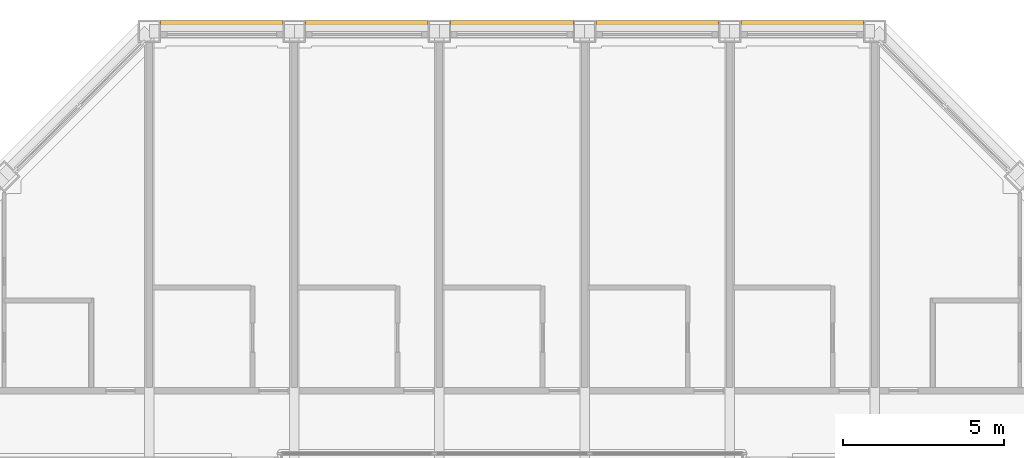
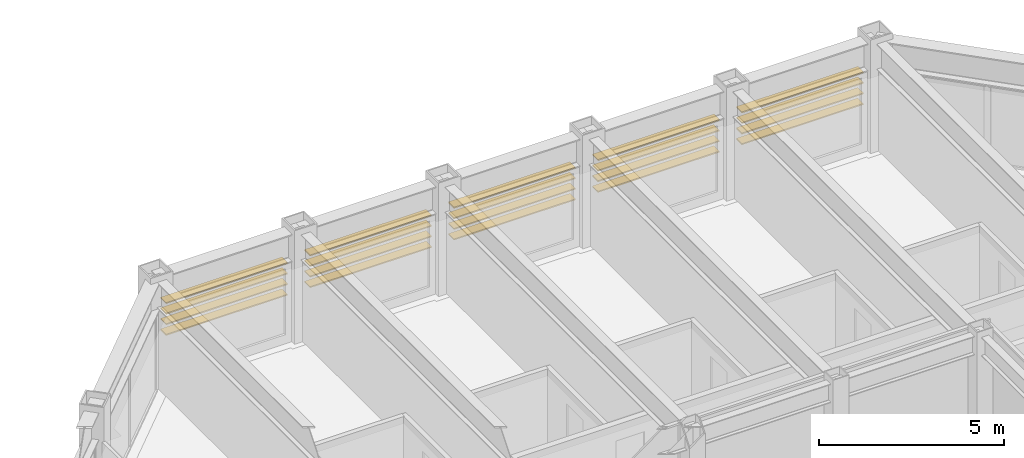
# One storey, part 18 of 18: 1 shading device.
"""IFC4 building model written with IfcOpenShell, lengths in metres."""

from ifc_helpers import new_model, si_unit, direction, frame, origin, origin_2d, place, context, subcontext, project, spatial, rectangle, extrude, material, type_object, element, save


model = new_model("IFC4")

# Units and contexts
model_context = context("Model", 3, precision=1e-05, world=origin(), true_north=direction((0.0, 1.0)))
body_context = subcontext(model_context, "Body", "Model", "MODEL_VIEW")
ifc_project = project(units=[si_unit("LENGTHUNIT", "METRE"), si_unit("AREAUNIT", "SQUARE_METRE"), si_unit("VOLUMEUNIT", "CUBIC_METRE"), si_unit("PLANEANGLEUNIT", "RADIAN"), si_unit("MASSUNIT", "GRAM", prefix="KILO")], contexts=[model_context])

# Site, building, storey
site_placement = place(None, origin())
site = spatial("IfcSite", under=ifc_project, at=site_placement, CompositionType="ELEMENT")
building_placement = place(site_placement, origin())
building = spatial("IfcBuilding", under=site, at=building_placement, Name="Msasa Ring Tower", CompositionType="ELEMENT")
storey_placement = place(building_placement, frame((0.0, 0.0, 204.550048828125)))
storey = spatial("IfcBuildingStorey", under=building, at=storey_placement, Name="L53", CompositionType="ELEMENT", Elevation=204.550048828125)

# Shading device
ifc_material = material(Name="Extruded terracotta blades", Category="masonry")
shading_device_type = type_object("IfcShadingDeviceType", Name="SS1 TERRACOTTA SUNSHADE 4 BLADES 300x40 AT 350", PredefinedType="USERDEFINED", material=ifc_material)
shading_device_placement = place(storey_placement, origin())
element("IfcShadingDevice", 1, at=shading_device_placement, inside=storey, type_object=shading_device_type, Name="Terracotta sunshade N L53", ObjectType="SUNSHADE", PredefinedType="USERDEFINED", context=body_context, shape_type="SweptSolid", body=[
    extrude(rectangle(XDim=0.0400390625, YDim=0.300048828125, at=origin_2d()), frame((-10.89990234375, 20.429931640625, 2.458984375), z_axis=(1.0, 0.0, 0.0), x_axis=(0.0, 0.0, 1.0)), (0.0, 0.0, 1.0), 3.800048828125),
    extrude(rectangle(XDim=0.0400390625, YDim=0.300048828125, at=origin_2d()), frame((-10.89990234375, 20.429931640625, 2.10888671875), z_axis=(1.0, 0.0, 0.0), x_axis=(0.0, 0.0, 1.0)), (0.0, 0.0, 1.0), 3.800048828125),
    extrude(rectangle(XDim=0.0400390625, YDim=0.300048828125, at=origin_2d()), frame((-10.89990234375, 20.429931640625, 1.759033203125), z_axis=(1.0, 0.0, 0.0), x_axis=(0.0, 0.0, 1.0)), (0.0, 0.0, 1.0), 3.800048828125),
    extrude(rectangle(XDim=0.0400390625, YDim=0.300048828125, at=origin_2d()), frame((-10.89990234375, 20.429931640625, 1.408935546875), z_axis=(1.0, 0.0, 0.0), x_axis=(0.0, 0.0, 1.0)), (0.0, 0.0, 1.0), 3.800048828125),
    extrude(rectangle(XDim=0.0400390625, YDim=0.300048828125, at=origin_2d()), frame((-6.39990234375, 20.429931640625, 2.458984375), z_axis=(1.0, 0.0, 0.0), x_axis=(0.0, 0.0, 1.0)), (0.0, 0.0, 1.0), 3.800048828125),
    extrude(rectangle(XDim=0.0400390625, YDim=0.300048828125, at=origin_2d()), frame((-6.39990234375, 20.429931640625, 2.10888671875), z_axis=(1.0, 0.0, 0.0), x_axis=(0.0, 0.0, 1.0)), (0.0, 0.0, 1.0), 3.800048828125),
    extrude(rectangle(XDim=0.0400390625, YDim=0.300048828125, at=origin_2d()), frame((-6.39990234375, 20.429931640625, 1.759033203125), z_axis=(1.0, 0.0, 0.0), x_axis=(0.0, 0.0, 1.0)), (0.0, 0.0, 1.0), 3.800048828125),
    extrude(rectangle(XDim=0.0400390625, YDim=0.300048828125, at=origin_2d()), frame((-6.39990234375, 20.429931640625, 1.408935546875), z_axis=(1.0, 0.0, 0.0), x_axis=(0.0, 0.0, 1.0)), (0.0, 0.0, 1.0), 3.800048828125),
    extrude(rectangle(XDim=0.0400390625, YDim=0.300048828125, at=origin_2d()), frame((-1.89990234375, 20.429931640625, 2.458984375), z_axis=(1.0, 0.0, 0.0), x_axis=(0.0, 0.0, 1.0)), (0.0, 0.0, 1.0), 3.800048828125),
    extrude(rectangle(XDim=0.0400390625, YDim=0.300048828125, at=origin_2d()), frame((-1.89990234375, 20.429931640625, 2.10888671875), z_axis=(1.0, 0.0, 0.0), x_axis=(0.0, 0.0, 1.0)), (0.0, 0.0, 1.0), 3.800048828125),
    extrude(rectangle(XDim=0.0400390625, YDim=0.300048828125, at=origin_2d()), frame((-1.89990234375, 20.429931640625, 1.759033203125), z_axis=(1.0, 0.0, 0.0), x_axis=(0.0, 0.0, 1.0)), (0.0, 0.0, 1.0), 3.800048828125),
    extrude(rectangle(XDim=0.0400390625, YDim=0.300048828125, at=origin_2d()), frame((-1.89990234375, 20.429931640625, 1.408935546875), z_axis=(1.0, 0.0, 0.0), x_axis=(0.0, 0.0, 1.0)), (0.0, 0.0, 1.0), 3.800048828125),
    extrude(rectangle(XDim=0.0400390625, YDim=0.300048828125, at=origin_2d()), frame((2.60009765625, 20.429931640625, 2.458984375), z_axis=(1.0, 0.0, 0.0), x_axis=(0.0, 0.0, 1.0)), (0.0, 0.0, 1.0), 3.800048828125),
    extrude(rectangle(XDim=0.0400390625, YDim=0.300048828125, at=origin_2d()), frame((2.60009765625, 20.429931640625, 2.10888671875), z_axis=(1.0, 0.0, 0.0), x_axis=(0.0, 0.0, 1.0)), (0.0, 0.0, 1.0), 3.800048828125),
    extrude(rectangle(XDim=0.0400390625, YDim=0.300048828125, at=origin_2d()), frame((2.60009765625, 20.429931640625, 1.759033203125), z_axis=(1.0, 0.0, 0.0), x_axis=(0.0, 0.0, 1.0)), (0.0, 0.0, 1.0), 3.800048828125),
    extrude(rectangle(XDim=0.0400390625, YDim=0.300048828125, at=origin_2d()), frame((2.60009765625, 20.429931640625, 1.408935546875), z_axis=(1.0, 0.0, 0.0), x_axis=(0.0, 0.0, 1.0)), (0.0, 0.0, 1.0), 3.800048828125),
    extrude(rectangle(XDim=0.0400390625, YDim=0.300048828125, at=origin_2d()), frame((7.10009765625, 20.429931640625, 2.458984375), z_axis=(1.0, 0.0, 0.0), x_axis=(0.0, 0.0, 1.0)), (0.0, 0.0, 1.0), 3.800048828125),
    extrude(rectangle(XDim=0.0400390625, YDim=0.300048828125, at=origin_2d()), frame((7.10009765625, 20.429931640625, 2.10888671875), z_axis=(1.0, 0.0, 0.0), x_axis=(0.0, 0.0, 1.0)), (0.0, 0.0, 1.0), 3.800048828125),
    extrude(rectangle(XDim=0.0400390625, YDim=0.300048828125, at=origin_2d()), frame((7.10009765625, 20.429931640625, 1.759033203125), z_axis=(1.0, 0.0, 0.0), x_axis=(0.0, 0.0, 1.0)), (0.0, 0.0, 1.0), 3.800048828125),
    extrude(rectangle(XDim=0.0400390625, YDim=0.300048828125, at=origin_2d()), frame((7.10009765625, 20.429931640625, 1.408935546875), z_axis=(1.0, 0.0, 0.0), x_axis=(0.0, 0.0, 1.0)), (0.0, 0.0, 1.0), 3.800048828125),
])

save(model, "model.ifc")
